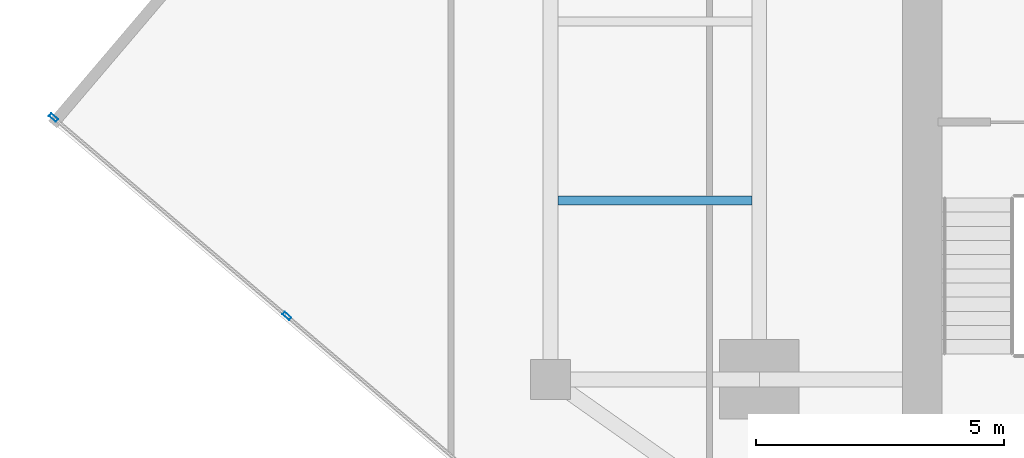
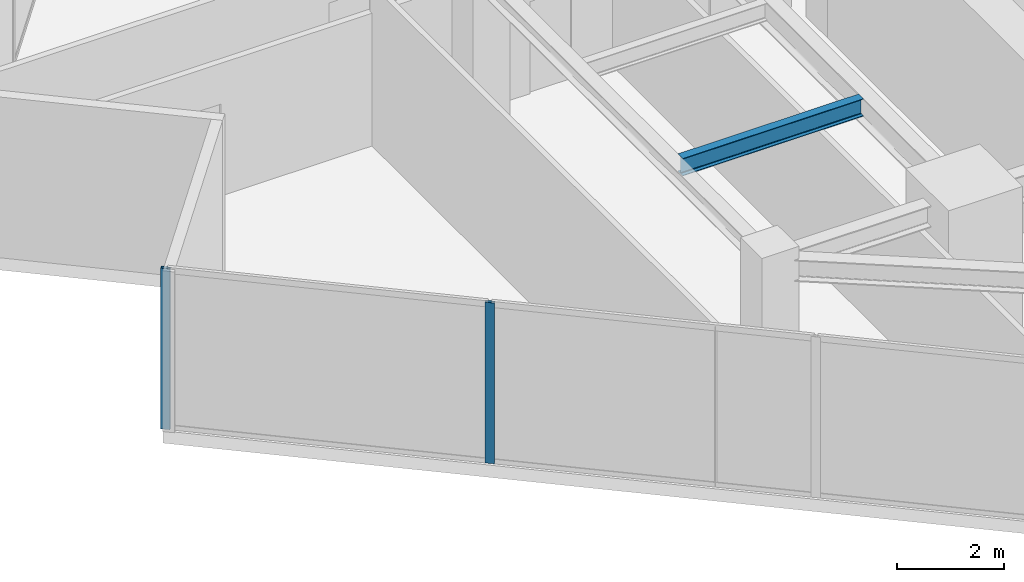
# One storey, part 6 of 25: 2 members, 1 beam, 1 element without a shape of its own.
"""IFC4 building model written with IfcOpenShell, lengths in metres."""

from ifc_helpers import new_model, si_unit, direction, frame, origin, origin_2d, place, context, subcontext, project, spatial, hollow_rectangle, i_section, extrude, source, transform, mapped, material, material_profile, profile_set, type_object, type_shapes, element, aggregate, save


model = new_model("IFC4")

# Units and contexts
model_context = context("Model", 3, precision=1e-05, world=origin(), true_north=direction((0.0, 1.0)))
body_context = subcontext(model_context, "Body", "Model", "MODEL_VIEW")
ifc_project = project(units=[si_unit("LENGTHUNIT", "METRE"), si_unit("AREAUNIT", "SQUARE_METRE"), si_unit("VOLUMEUNIT", "CUBIC_METRE"), si_unit("PLANEANGLEUNIT", "RADIAN"), si_unit("MASSUNIT", "GRAM", prefix="KILO")], contexts=[model_context])

# Site, building, storey
site_placement = place(None, origin())
site = spatial("IfcSite", under=ifc_project, at=site_placement, CompositionType="ELEMENT")
building_placement = place(site_placement, origin())
building = spatial("IfcBuilding", under=site, at=building_placement, Name="Krantzveldt Concourse Tower", CompositionType="ELEMENT")
storey_placement = place(building_placement, frame((0.0, 0.0, 215.199951171875)))
storey = spatial("IfcBuildingStorey", under=building, at=storey_placement, Name="L52", CompositionType="ELEMENT", Elevation=215.199951171875)

# Beam
ifc_material_1 = material(Name="Steel S355JR", Category="steel")
ifc_material_profile_1 = material_profile(ifc_material_1, i_section(OverallWidth=0.179931640625, OverallDepth=0.39990234375, WebThickness=0.008544921875, FlangeThickness=0.013427734375, FilletRadius=0.02099609375, at=origin_2d()), Name="Steel S355JR", Category="steel")
ifc_profile_set_1 = profile_set([ifc_material_profile_1], Name="Steel S355JR - IPE 400")
beam_type = type_object("IfcBeamType", Name="BM-J-IPE400", PredefinedType="JOIST", material=ifc_profile_set_1)
shared_shape_1 = source(origin(), body_context, "Body", "SweptSolid", [
    extrude(i_section(OverallWidth=0.179931640625, OverallDepth=0.39990234375, WebThickness=0.008544921875, FlangeThickness=0.013427734375, FilletRadius=0.02099609375, at=origin_2d()), origin(), (0.0, 0.0, 1.0), 3.900146484375),
])
type_shapes(beam_type, [shared_shape_1])
beam_placement = place(storey_placement, frame((21.14990234375, 19.5, 3.469970703125), z_axis=(1.0, 0.0, 0.0), x_axis=(0.0, 1.0, 0.0)))
element("IfcBeam", 1, at=beam_placement, inside=storey, type_object=beam_type, Name="L52 Secondary Floor Joist JW-1", PredefinedType="JOIST", context=body_context, shape_type="MappedRepresentation", body=[
    mapped(shared_shape_1, transform((0.0, 0.0, 0.0), x_axis=(1.0, 0.0, 0.0), y_axis=(0.0, 1.0, 0.0), z_axis=(0.0, 0.0, 1.0), scale=1.0)),
])

# Curtain wall, members
ifc_material_2 = material(Name="Anodised aluminium 6063-T6", Category="aluminium")
curtain_wall_type = type_object("IfcCurtainWallType", Name="CW3", PredefinedType="USERDEFINED", material=ifc_material_2)
curtain_wall_placement = place(storey_placement, origin())
curtain_wall = element("IfcCurtainWall", 2, at=curtain_wall_placement, inside=storey, type_object=curtain_wall_type, Name="CW-L52-F04", ObjectType="UNITISED CURTAIN WALL", PredefinedType="USERDEFINED")
ifc_material_profile_2 = material_profile(ifc_material_2, hollow_rectangle(XDim=0.070068359375, YDim=0.179931640625, WallThickness=0.0048828125, at=origin_2d()), Name="Anodised aluminium 6063-T6", Category="aluminium")
ifc_profile_set_2 = profile_set([ifc_material_profile_2], Name="Anodised aluminium 6063-T6 - ALU-MULL 180x70x5")
member_type = type_object("IfcMemberType", Name="CW-MUL-180", PredefinedType="MULLION", material=ifc_profile_set_2)
shared_shape_2 = source(origin(), body_context, "Body", "SweptSolid", [
    extrude(hollow_rectangle(XDim=0.070068359375, YDim=0.179931640625, WallThickness=0.0048828125, at=origin_2d()), origin(), (0.0, 0.0, 1.0), 3.670166015625),
])
type_shapes(member_type, [shared_shape_2])
member_1_placement = place(storey_placement, frame((10.9970703125, 21.169189453125, 0.0), z_axis=(0.0, 0.0, 1.0), x_axis=(0.647787694805, 0.761820912327, 0.0)))
member_1 = element("IfcMember", 3, at=member_1_placement, type_object=member_type, Name="CW-Z34 mullion 1", PredefinedType="MULLION", context=body_context, shape_type="MappedRepresentation", body=[
    mapped(shared_shape_2, transform((0.0, 0.0, 0.0), x_axis=(1.0, 0.0, 0.0), y_axis=(0.0, 1.0, 0.0), z_axis=(0.0, 0.0, 1.0), scale=1.0)),
])
member_2_placement = place(storey_placement, frame((15.693603515625, 17.175537109375, 0.0), z_axis=(0.0, 0.0, 1.0), x_axis=(0.647787694805, 0.761820912327, 0.0)))
member_2 = element("IfcMember", 4, at=member_2_placement, type_object=member_type, Name="CW-Z34 mullion 2", PredefinedType="MULLION", context=body_context, shape_type="MappedRepresentation", body=[
    mapped(shared_shape_2, transform((0.0, 0.0, 0.0), x_axis=(1.0, 0.0, 0.0), y_axis=(0.0, 1.0, 0.0), z_axis=(0.0, 0.0, 1.0), scale=1.0)),
])
aggregate(curtain_wall, [member_1, member_2])

save(model, "model.ifc")
